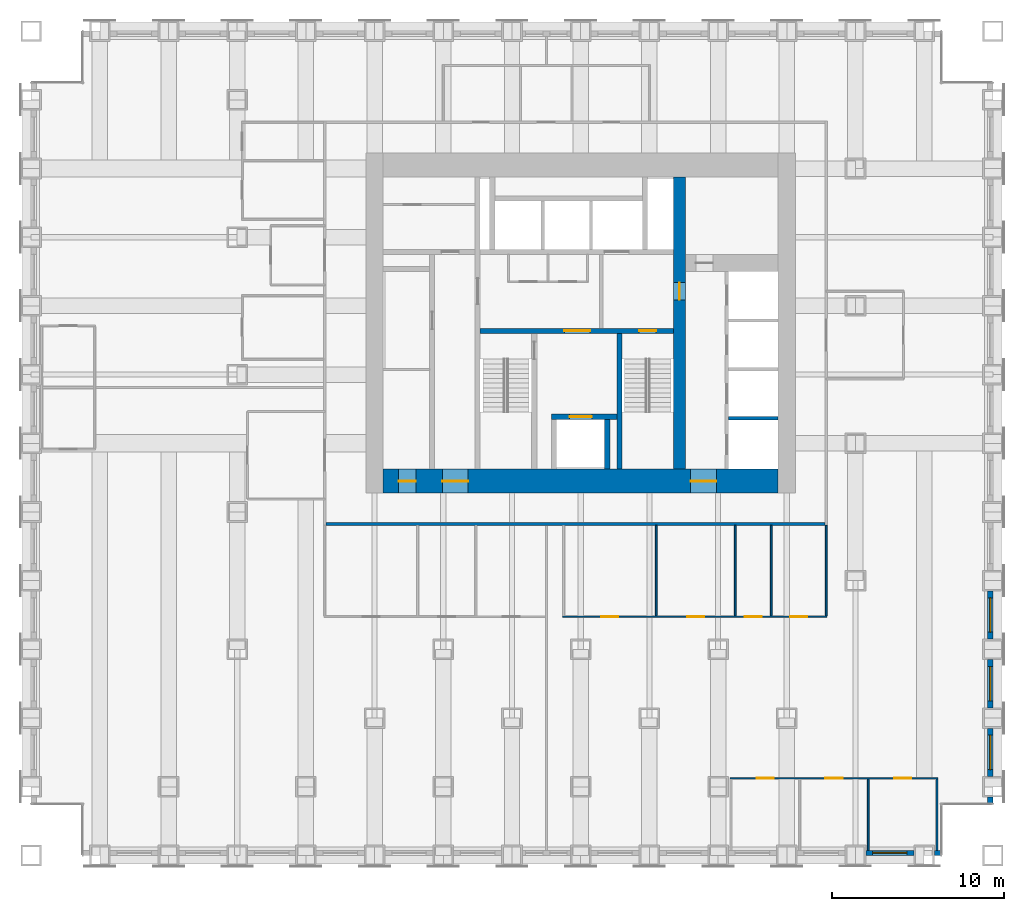
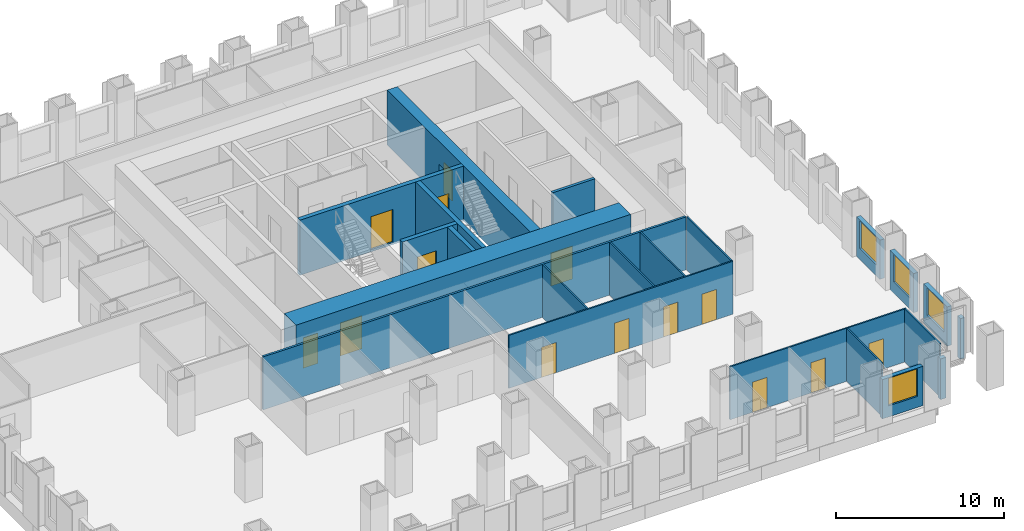
# One storey, part 10 of 15: 22 walls, 14 doors, 4 windows, 18 openings.
"""IFC4 building model written with IfcOpenShell, lengths in metres."""

from ifc_helpers import new_model, si_unit, direction, frame, frame_2d, origin, place, context, subcontext, project, spatial, rectangle, extrude, material, layer, layer_set, type_object, element, fill, save


model = new_model("IFC4")

# Units and contexts
model_context = context("Model", 3, precision=1e-05, world=origin(), true_north=direction((0.0, 1.0)))
body_context = subcontext(model_context, "Body", "Model", "MODEL_VIEW")
ifc_project = project(units=[si_unit("LENGTHUNIT", "METRE"), si_unit("AREAUNIT", "SQUARE_METRE"), si_unit("VOLUMEUNIT", "CUBIC_METRE"), si_unit("PLANEANGLEUNIT", "RADIAN"), si_unit("MASSUNIT", "GRAM", prefix="KILO")], contexts=[model_context])

# Site, building, storey
site_placement = place(None, origin())
site = spatial("IfcSite", under=ifc_project, at=site_placement, CompositionType="ELEMENT")
building_placement = place(site_placement, origin())
building = spatial("IfcBuilding", under=site, at=building_placement, Name="Rimbunsela Tower", CompositionType="ELEMENT")
storey_placement = place(building_placement, frame((0.0, 0.0, 31.0)))
storey = spatial("IfcBuildingStorey", under=building, at=storey_placement, Name="L07", CompositionType="ELEMENT", Elevation=31.0)

# Wall, openings, doors
ifc_material_1 = material(Name="Concrete fc' 80 MPa", Category="concrete")
ifc_layer_1 = layer(ifc_material_1, 0.300048828125)
ifc_layer_set_1 = layer_set([ifc_layer_1], Name="Core internal wall 300")
wall_type_1 = type_object("IfcWallType", Name="Core internal wall 300", PredefinedType="SHEAR", material=ifc_layer_set_1)
wall_1_placement = place(storey_placement, frame((24.14990234375, 26.550048828125, -0.14990234375), z_axis=(0.0, 0.0, 1.0), x_axis=(1.0, 0.0, 0.0)))
wall_1 = element("IfcWall", 1, at=wall_1_placement, inside=storey, type_object=wall_type_1, Name="Core wall lobby south", PredefinedType="SHEAR", context=body_context, shape_type="SweptSolid", body=[
    extrude(rectangle(XDim=11.25, YDim=0.300048828125, at=frame_2d((5.625, 0.0))), origin(), (0.0, 0.0, 1.0), 4.0),
])
opening_1_placement = place(wall_1_placement, frame((9.25, 0.0, 0.14990234375)))
opening_1 = element("IfcOpeningElement", 2, at=opening_1_placement, cuts=wall_1, Name="Opening D01", PredefinedType="OPENING", context=body_context, shape_type="SweptSolid", body=[
    extrude(rectangle(XDim=1.0, YDim=2.199951171875, at=frame_2d((0.5, 1.10009765625))), frame((0.0, 0.159912109375, 0.0), z_axis=(0.0, -1.0, 0.0), x_axis=(1.0, 0.0, 0.0)), (0.0, 0.0, 1.0), 0.320068359375),
])
opening_2_placement = place(wall_1_placement, frame((4.89990234375, 0.0, 0.14990234375)))
opening_2 = element("IfcOpeningElement", 3, at=opening_2_placement, cuts=wall_1, Name="Opening D03", PredefinedType="OPENING", context=body_context, shape_type="SweptSolid", body=[
    extrude(rectangle(XDim=1.5, YDim=2.39990234375, at=frame_2d((0.75, 1.199951171875))), frame((0.0, 0.159912109375, 0.0), z_axis=(0.0, -1.0, 0.0), x_axis=(1.0, 0.0, 0.0)), (0.0, 0.0, 1.0), 0.320068359375),
])
ifc_material_2 = material(Name="Steel door, fire rated", Category="steel")
door_type_1 = type_object("IfcDoorType", Name="Core lobby door 1500", OperationType="DOUBLE_DOOR_DOUBLE_SWING", PredefinedType="DOOR", material=ifc_material_2)
door_1_placement = place(opening_2_placement, origin())
door_1 = element("IfcDoor", 4, at=door_1_placement, inside=storey, type_object=door_type_1, Name="Firefighting lobby door", OperationType="DOUBLE_DOOR_DOUBLE_SWING", OverallHeight=2.39990234375, OverallWidth=1.5, PredefinedType="DOOR", context=body_context, shape_type="SweptSolid", body=[
    extrude(rectangle(XDim=1.5, YDim=2.39990234375, at=frame_2d((0.75, 1.199951171875))), frame((0.0, 0.02490234375, 0.0), z_axis=(0.0, -1.0, 0.0), x_axis=(1.0, 0.0, 0.0)), (0.0, 0.0, 1.0), 0.050048828125),
])
fill(opening_2, door_1)
ifc_material_3 = material(Name="Steel door, fire rated", Category="steel")
door_type_2 = type_object("IfcDoorType", Name="Stair door 1000", OperationType="SINGLE_SWING_RIGHT", PredefinedType="DOOR", material=ifc_material_3)
door_2_placement = place(opening_1_placement, frame((1.0, 0.0, 0.0), z_axis=(0.0, 0.0, 1.0), x_axis=(-1.0, 0.0, 0.0)))
door_2 = element("IfcDoor", 5, at=door_2_placement, inside=storey, type_object=door_type_2, Name="Stair B door", OperationType="SINGLE_SWING_RIGHT", OverallHeight=2.199951171875, OverallWidth=1.0, PredefinedType="DOOR", context=body_context, shape_type="SweptSolid", body=[
    extrude(rectangle(XDim=1.0, YDim=2.199951171875, at=frame_2d((0.5, 1.10009765625))), frame((0.0, 0.02490234375, 0.0), z_axis=(0.0, -1.0, 0.0), x_axis=(1.0, 0.0, 0.0)), (0.0, 0.0, 1.0), 0.050048828125),
])
fill(opening_1, door_2)

# Walls
wall_2_placement = place(storey_placement, frame((32.25, 18.5, -0.14990234375), z_axis=(0.0, 0.0, 1.0), x_axis=(0.0, 1.0, 0.0)))
element("IfcWall", 6, at=wall_2_placement, inside=storey, type_object=wall_type_1, Name="Stair B enclosure", PredefinedType="SHEAR", context=body_context, shape_type="SweptSolid", body=[
    extrude(rectangle(XDim=7.89990234375, YDim=0.300048828125, at=frame_2d((3.949951171875, 0.0))), origin(), (0.0, 0.0, 1.0), 4.0),
])
wall_3_placement = place(storey_placement, frame((31.550048828125, 18.5, -0.14990234375), z_axis=(0.0, 0.0, 1.0), x_axis=(0.0, 1.0, 0.0)))
element("IfcWall", 7, at=wall_3_placement, inside=storey, type_object=wall_type_1, Name="Firefighting lift shaft east", PredefinedType="SHEAR", context=body_context, shape_type="SweptSolid", body=[
    extrude(rectangle(XDim=2.89990234375, YDim=0.300048828125, at=frame_2d((1.449951171875, 0.0))), origin(), (0.0, 0.0, 1.0), 4.0),
])

# Wall, opening, door
wall_4_placement = place(storey_placement, frame((28.300048828125, 21.550048828125, -0.14990234375), z_axis=(0.0, 0.0, 1.0), x_axis=(1.0, 0.0, 0.0)))
wall_4 = element("IfcWall", 8, at=wall_4_placement, inside=storey, type_object=wall_type_1, Name="Firefighting lift shaft front", PredefinedType="SHEAR", context=body_context, shape_type="SweptSolid", body=[
    extrude(rectangle(XDim=3.800048828125, YDim=0.300048828125, at=frame_2d((1.89990234375, 0.0))), origin(), (0.0, 0.0, 1.0), 4.0),
])
opening_3_placement = place(wall_4_placement, frame((1.050048828125, 0.0, 0.14990234375)))
opening_3 = element("IfcOpeningElement", 9, at=opening_3_placement, cuts=wall_4, Name="Opening LD2", PredefinedType="OPENING", context=body_context, shape_type="SweptSolid", body=[
    extrude(rectangle(XDim=1.300048828125, YDim=2.39990234375, at=frame_2d((0.64990234375, 1.199951171875))), frame((0.0, 0.159912109375, 0.0), z_axis=(0.0, -1.0, 0.0), x_axis=(1.0, 0.0, 0.0)), (0.0, 0.0, 1.0), 0.320068359375),
])
ifc_material_4 = material(Name="Steel door, fire rated", Category="steel")
door_type_3 = type_object("IfcDoorType", Name="Lift landing door 1300", OperationType="DOUBLE_DOOR_SLIDING", PredefinedType="DOOR", material=ifc_material_4)
door_3_placement = place(opening_3_placement, origin())
door_3 = element("IfcDoor", 10, at=door_3_placement, inside=storey, type_object=door_type_3, Name="Lift landing door FL1", OperationType="DOUBLE_DOOR_SLIDING", OverallHeight=2.39990234375, OverallWidth=1.300048828125, PredefinedType="DOOR", context=body_context, shape_type="SweptSolid", body=[
    extrude(rectangle(XDim=1.300048828125, YDim=2.39990234375, at=frame_2d((0.64990234375, 1.199951171875))), frame((0.0, 0.02490234375, 0.0), z_axis=(0.0, -1.0, 0.0), x_axis=(1.0, 0.0, 0.0)), (0.0, 0.0, 1.0), 0.050048828125),
])
fill(opening_3, door_3)

# Wall, openings, doors
ifc_material_5 = material(Name="Concrete fc' 80 MPa", Category="concrete")
ifc_layer_2 = layer(ifc_material_5, 1.39990234375)
ifc_layer_set_2 = layer_set([ifc_layer_2], Name="Core wall 1400")
wall_type_2 = type_object("IfcWallType", Name="Core wall 1400", PredefinedType="SHEAR", material=ifc_layer_set_2)
wall_5_placement = place(storey_placement, frame((18.5, 17.800048828125, -0.14990234375), z_axis=(0.0, 0.0, 1.0), x_axis=(1.0, 0.0, 0.0)))
wall_5 = element("IfcWall", 11, at=wall_5_placement, inside=storey, type_object=wall_type_2, Name="Core wall south", PredefinedType="SHEAR", context=body_context, shape_type="SweptSolid", body=[
    extrude(rectangle(XDim=23.0, YDim=1.39990234375, at=frame_2d((11.5, 0.0))), origin(), (0.0, 0.0, 1.0), 4.0),
])
opening_4_placement = place(wall_5_placement, frame((3.449951171875, 0.0, 0.14990234375)))
opening_4 = element("IfcOpeningElement", 12, at=opening_4_placement, cuts=wall_5, Name="Opening D03", PredefinedType="OPENING", context=body_context, shape_type="SweptSolid", body=[
    extrude(rectangle(XDim=1.5, YDim=2.39990234375, at=frame_2d((0.75, 1.199951171875))), frame((0.0, 0.7099609375, 0.0), z_axis=(0.0, -1.0, 0.0), x_axis=(1.0, 0.0, 0.0)), (0.0, 0.0, 1.0), 1.419921875),
])
opening_5_placement = place(wall_5_placement, frame((17.89990234375, 0.0, 0.14990234375)))
opening_5 = element("IfcOpeningElement", 13, at=opening_5_placement, cuts=wall_5, Name="Opening D03", PredefinedType="OPENING", context=body_context, shape_type="SweptSolid", body=[
    extrude(rectangle(XDim=1.5, YDim=2.39990234375, at=frame_2d((0.75, 1.199951171875))), frame((0.0, 0.7099609375, 0.0), z_axis=(0.0, -1.0, 0.0), x_axis=(1.0, 0.0, 0.0)), (0.0, 0.0, 1.0), 1.419921875),
])
opening_6_placement = place(wall_5_placement, frame((0.89990234375, 0.0, 0.14990234375)))
opening_6 = element("IfcOpeningElement", 14, at=opening_6_placement, cuts=wall_5, Name="Opening D19", PredefinedType="OPENING", context=body_context, shape_type="SweptSolid", body=[
    extrude(rectangle(XDim=1.0, YDim=2.199951171875, at=frame_2d((0.5, 1.10009765625))), frame((0.0, 0.7099609375, 0.0), z_axis=(0.0, -1.0, 0.0), x_axis=(1.0, 0.0, 0.0)), (0.0, 0.0, 1.0), 1.419921875),
])
door_4_placement = place(opening_4_placement, origin())
door_4 = element("IfcDoor", 15, at=door_4_placement, inside=storey, type_object=door_type_1, Name="Core door south", OperationType="DOUBLE_DOOR_DOUBLE_SWING", OverallHeight=2.39990234375, OverallWidth=1.5, PredefinedType="DOOR", context=body_context, shape_type="SweptSolid", body=[
    extrude(rectangle(XDim=1.5, YDim=2.39990234375, at=frame_2d((0.75, 1.199951171875))), frame((0.0, 0.02490234375, 0.0), z_axis=(0.0, -1.0, 0.0), x_axis=(1.0, 0.0, 0.0)), (0.0, 0.0, 1.0), 0.050048828125),
])
fill(opening_4, door_4)
door_5_placement = place(opening_5_placement, origin())
door_5 = element("IfcDoor", 16, at=door_5_placement, inside=storey, type_object=door_type_1, Name="Core door south-east", OperationType="DOUBLE_DOOR_DOUBLE_SWING", OverallHeight=2.39990234375, OverallWidth=1.5, PredefinedType="DOOR", context=body_context, shape_type="SweptSolid", body=[
    extrude(rectangle(XDim=1.5, YDim=2.39990234375, at=frame_2d((0.75, 1.199951171875))), frame((0.0, 0.02490234375, 0.0), z_axis=(0.0, -1.0, 0.0), x_axis=(1.0, 0.0, 0.0)), (0.0, 0.0, 1.0), 0.050048828125),
])
fill(opening_5, door_5)
ifc_material_6 = material(Name="Steel door, fire rated", Category="steel")
door_type_4 = type_object("IfcDoorType", Name="Service door 1000 fire rated", OperationType="SINGLE_SWING_LEFT", PredefinedType="DOOR", material=ifc_material_6)
door_6_placement = place(opening_6_placement, origin())
door_6 = element("IfcDoor", 17, at=door_6_placement, inside=storey, type_object=door_type_4, Name="Electrical room door", OperationType="SINGLE_SWING_LEFT", OverallHeight=2.199951171875, OverallWidth=1.0, PredefinedType="DOOR", context=body_context, shape_type="SweptSolid", body=[
    extrude(rectangle(XDim=1.0, YDim=2.199951171875, at=frame_2d((0.5, 1.10009765625))), frame((0.0, 0.02490234375, 0.0), z_axis=(0.0, -1.0, 0.0), x_axis=(1.0, 0.0, 0.0)), (0.0, 0.0, 1.0), 0.050048828125),
])
fill(opening_6, door_6)

# Wall, opening, door
ifc_material_7 = material(Name="Concrete fc' 80 MPa", Category="concrete")
ifc_layer_3 = layer(ifc_material_7, 0.699951171875)
ifc_layer_set_3 = layer_set([ifc_layer_3], Name="Core wall 700 east")
wall_type_3 = type_object("IfcWallType", Name="Core wall 700 east", PredefinedType="SHEAR", material=ifc_layer_set_3)
wall_6_placement = place(storey_placement, frame((35.75, 18.5, -0.14990234375), z_axis=(0.0, 0.0, 1.0), x_axis=(0.0, 1.0, 0.0)))
wall_6 = element("IfcWall", 18, at=wall_6_placement, inside=storey, type_object=wall_type_3, Name="Core wall low-rise bank", PredefinedType="SHEAR", context=body_context, shape_type="SweptSolid", body=[
    extrude(rectangle(XDim=17.0, YDim=0.699951171875, at=frame_2d((8.5, 0.0))), origin(), (0.0, 0.0, 1.0), 4.0),
])
opening_7_placement = place(wall_6_placement, frame((9.85009765625, 0.0, 0.14990234375)))
opening_7 = element("IfcOpeningElement", 19, at=opening_7_placement, cuts=wall_6, Name="Opening D01", PredefinedType="OPENING", context=body_context, shape_type="SweptSolid", body=[
    extrude(rectangle(XDim=1.0, YDim=2.199951171875, at=frame_2d((0.5, 1.10009765625))), frame((0.0, 0.35986328125, 0.0), z_axis=(0.0, -1.0, 0.0), x_axis=(1.0, 0.0, 0.0)), (0.0, 0.0, 1.0), 0.719970703125),
])
door_7_placement = place(opening_7_placement, origin())
door_7 = element("IfcDoor", 20, at=door_7_placement, inside=storey, type_object=door_type_2, Name="Firefighting lobby 2 door", OperationType="SINGLE_SWING_RIGHT", OverallHeight=2.199951171875, OverallWidth=1.0, PredefinedType="DOOR", context=body_context, shape_type="SweptSolid", body=[
    extrude(rectangle(XDim=1.0, YDim=2.199951171875, at=frame_2d((0.5, 1.10009765625))), frame((0.0, 0.02490234375, 0.0), z_axis=(0.0, -1.0, 0.0), x_axis=(1.0, 0.0, 0.0)), (0.0, 0.0, 1.0), 0.050048828125),
])
fill(opening_7, door_7)

# Wall
ifc_material_8 = material(Name="Concrete blockwork", Category="masonry")
ifc_layer_4 = layer(ifc_material_8, 0.199951171875)
ifc_layer_set_4 = layer_set([ifc_layer_4], Name="Lift shaft wall 200")
wall_type_4 = type_object("IfcWallType", Name="Lift shaft wall 200", PredefinedType="SOLIDWALL", material=ifc_layer_set_4)
wall_7_placement = place(storey_placement, frame((38.60009765625, 21.449951171875, -0.14990234375), z_axis=(0.0, 0.0, 1.0), x_axis=(1.0, 0.0, 0.0)))
element("IfcWall", 21, at=wall_7_placement, inside=storey, type_object=wall_type_4, Name="Lift shaft separation", PredefinedType="SOLIDWALL", context=body_context, shape_type="SweptSolid", body=[
    extrude(rectangle(XDim=2.89990234375, YDim=0.199951171875, at=frame_2d((1.449951171875, 0.0))), origin(), (0.0, 0.0, 1.0), 4.0),
])

# Wall, openings, doors
ifc_material_9 = material(Name="Gypsum board on steel studs", Category="steel")
ifc_layer_5 = layer(ifc_material_9, 0.10009765625)
ifc_layer_set_5 = layer_set([ifc_layer_5], Name="Office partition 100")
wall_type_5 = type_object("IfcWallType", Name="Office partition 100", PredefinedType="PARTITIONING", material=ifc_layer_set_5)
wall_8_placement = place(storey_placement, frame((38.699951171875, 0.5, 0.0), z_axis=(0.0, 0.0, 1.0), x_axis=(1.0, 0.0, 0.0)))
wall_8 = element("IfcWall", 22, at=wall_8_placement, inside=storey, type_object=wall_type_5, Name="Office partition", PredefinedType="PARTITIONING", context=body_context, shape_type="SweptSolid", body=[
    extrude(rectangle(XDim=12.10009765625, YDim=0.10009765625, at=frame_2d((6.050048828125, 0.0))), origin(), (0.0, 0.0, 1.0), 3.85009765625),
])
opening_8_placement = place(wall_8_placement, frame((1.550048828125, 0.0, 0.0)))
opening_8 = element("IfcOpeningElement", 23, at=opening_8_placement, cuts=wall_8, Name="Opening D16", PredefinedType="OPENING", context=body_context, shape_type="SweptSolid", body=[
    extrude(rectangle(XDim=1.0, YDim=2.199951171875, at=frame_2d((0.5, 1.10009765625))), frame((0.0, 0.06005859375, 0.0), z_axis=(0.0, -1.0, 0.0), x_axis=(1.0, 0.0, 0.0)), (0.0, 0.0, 1.0), 0.1201171875),
])
opening_9_placement = place(wall_8_placement, frame((5.550048828125, 0.0, 0.0)))
opening_9 = element("IfcOpeningElement", 24, at=opening_9_placement, cuts=wall_8, Name="Opening D16", PredefinedType="OPENING", context=body_context, shape_type="SweptSolid", body=[
    extrude(rectangle(XDim=1.0, YDim=2.199951171875, at=frame_2d((0.5, 1.10009765625))), frame((0.0, 0.06005859375, 0.0), z_axis=(0.0, -1.0, 0.0), x_axis=(1.0, 0.0, 0.0)), (0.0, 0.0, 1.0), 0.1201171875),
])
opening_10_placement = place(wall_8_placement, frame((9.550048828125, 0.0, 0.0)))
opening_10 = element("IfcOpeningElement", 25, at=opening_10_placement, cuts=wall_8, Name="Opening D16", PredefinedType="OPENING", context=body_context, shape_type="SweptSolid", body=[
    extrude(rectangle(XDim=1.0, YDim=2.199951171875, at=frame_2d((0.5, 1.10009765625))), frame((0.0, 0.06005859375, 0.0), z_axis=(0.0, -1.0, 0.0), x_axis=(1.0, 0.0, 0.0)), (0.0, 0.0, 1.0), 0.1201171875),
])
ifc_material_10 = material(Name="Timber door", Category="wood")
door_type_5 = type_object("IfcDoorType", Name="Office door 1000", OperationType="SINGLE_SWING_LEFT", PredefinedType="DOOR", material=ifc_material_10)
door_8_placement = place(opening_8_placement, origin())
door_8 = element("IfcDoor", 26, at=door_8_placement, inside=storey, type_object=door_type_5, Name="Office door", OperationType="SINGLE_SWING_LEFT", OverallHeight=2.199951171875, OverallWidth=1.0, PredefinedType="DOOR", context=body_context, shape_type="SweptSolid", body=[
    extrude(rectangle(XDim=1.0, YDim=2.199951171875, at=frame_2d((0.5, 1.10009765625))), frame((0.0, 0.02490234375, 0.0), z_axis=(0.0, -1.0, 0.0), x_axis=(1.0, 0.0, 0.0)), (0.0, 0.0, 1.0), 0.050048828125),
])
fill(opening_8, door_8)
door_9_placement = place(opening_9_placement, origin())
door_9 = element("IfcDoor", 27, at=door_9_placement, inside=storey, type_object=door_type_5, Name="Office door", OperationType="SINGLE_SWING_LEFT", OverallHeight=2.199951171875, OverallWidth=1.0, PredefinedType="DOOR", context=body_context, shape_type="SweptSolid", body=[
    extrude(rectangle(XDim=1.0, YDim=2.199951171875, at=frame_2d((0.5, 1.10009765625))), frame((0.0, 0.02490234375, 0.0), z_axis=(0.0, -1.0, 0.0), x_axis=(1.0, 0.0, 0.0)), (0.0, 0.0, 1.0), 0.050048828125),
])
fill(opening_9, door_9)
door_10_placement = place(opening_10_placement, origin())
door_10 = element("IfcDoor", 28, at=door_10_placement, inside=storey, type_object=door_type_5, Name="Office door", OperationType="SINGLE_SWING_LEFT", OverallHeight=2.199951171875, OverallWidth=1.0, PredefinedType="DOOR", context=body_context, shape_type="SweptSolid", body=[
    extrude(rectangle(XDim=1.0, YDim=2.199951171875, at=frame_2d((0.5, 1.10009765625))), frame((0.0, 0.02490234375, 0.0), z_axis=(0.0, -1.0, 0.0), x_axis=(1.0, 0.0, 0.0)), (0.0, 0.0, 1.0), 0.050048828125),
])
fill(opening_10, door_10)

wall_9_placement = place(storey_placement, frame((28.948974609375, 9.89990234375, 0.0), z_axis=(0.0, 0.0, 1.0), x_axis=(1.0, 0.0, 0.0)))
wall_9 = element("IfcWall", 29, at=wall_9_placement, inside=storey, type_object=wall_type_5, Name="Office partition", PredefinedType="PARTITIONING", context=body_context, shape_type="SweptSolid", body=[
    extrude(rectangle(XDim=15.401123046875, YDim=0.10009765625, at=frame_2d((7.70068359375, 0.0))), origin(), (0.0, 0.0, 1.0), 3.85009765625),
])
opening_11_placement = place(wall_9_placement, frame((2.25, 0.0, 0.0)))
opening_11 = element("IfcOpeningElement", 30, at=opening_11_placement, cuts=wall_9, Name="Opening D17", PredefinedType="OPENING", context=body_context, shape_type="SweptSolid", body=[
    extrude(rectangle(XDim=1.0, YDim=2.199951171875, at=frame_2d((0.5, 1.10009765625))), frame((0.0, 0.06005859375, 0.0), z_axis=(0.0, -1.0, 0.0), x_axis=(1.0, 0.0, 0.0)), (0.0, 0.0, 1.0), 0.1201171875),
])
opening_12_placement = place(wall_9_placement, frame((7.25, 0.0, 0.0)))
opening_12 = element("IfcOpeningElement", 31, at=opening_12_placement, cuts=wall_9, Name="Opening D16", PredefinedType="OPENING", context=body_context, shape_type="SweptSolid", body=[
    extrude(rectangle(XDim=1.0, YDim=2.199951171875, at=frame_2d((0.5, 1.10009765625))), frame((0.0, 0.06005859375, 0.0), z_axis=(0.0, -1.0, 0.0), x_axis=(1.0, 0.0, 0.0)), (0.0, 0.0, 1.0), 0.1201171875),
])
opening_13_placement = place(wall_9_placement, frame((10.60009765625, 0.0, 0.0)))
opening_13 = element("IfcOpeningElement", 32, at=opening_13_placement, cuts=wall_9, Name="Opening D16", PredefinedType="OPENING", context=body_context, shape_type="SweptSolid", body=[
    extrude(rectangle(XDim=1.0, YDim=2.199951171875, at=frame_2d((0.5, 1.10009765625))), frame((0.0, 0.06005859375, 0.0), z_axis=(0.0, -1.0, 0.0), x_axis=(1.0, 0.0, 0.0)), (0.0, 0.0, 1.0), 0.1201171875),
])
opening_14_placement = place(wall_9_placement, frame((13.25048828125, 0.0, 0.0)))
opening_14 = element("IfcOpeningElement", 33, at=opening_14_placement, cuts=wall_9, Name="Opening D16", PredefinedType="OPENING", context=body_context, shape_type="SweptSolid", body=[
    extrude(rectangle(XDim=1.0, YDim=2.199951171875, at=frame_2d((0.5, 1.10009765625))), frame((0.0, 0.06005859375, 0.0), z_axis=(0.0, -1.0, 0.0), x_axis=(1.0, 0.0, 0.0)), (0.0, 0.0, 1.0), 0.1201171875),
])
ifc_material_11 = material(Name="Glazed aluminium door", Category="aluminium")
door_type_6 = type_object("IfcDoorType", Name="Meeting room door 1000 glazed", OperationType="SINGLE_SWING_RIGHT", PredefinedType="DOOR", material=ifc_material_11)
door_11_placement = place(opening_11_placement, origin())
door_11 = element("IfcDoor", 34, at=door_11_placement, inside=storey, type_object=door_type_6, Name="Meeting room door", OperationType="SINGLE_SWING_RIGHT", OverallHeight=2.199951171875, OverallWidth=1.0, PredefinedType="DOOR", context=body_context, shape_type="SweptSolid", body=[
    extrude(rectangle(XDim=1.0, YDim=2.199951171875, at=frame_2d((0.5, 1.10009765625))), frame((0.0, 0.02490234375, 0.0), z_axis=(0.0, -1.0, 0.0), x_axis=(1.0, 0.0, 0.0)), (0.0, 0.0, 1.0), 0.050048828125),
])
fill(opening_11, door_11)
door_12_placement = place(opening_12_placement, origin())
door_12 = element("IfcDoor", 35, at=door_12_placement, inside=storey, type_object=door_type_5, Name="Office door", OperationType="SINGLE_SWING_LEFT", OverallHeight=2.199951171875, OverallWidth=1.0, PredefinedType="DOOR", context=body_context, shape_type="SweptSolid", body=[
    extrude(rectangle(XDim=1.0, YDim=2.199951171875, at=frame_2d((0.5, 1.10009765625))), frame((0.0, 0.02490234375, 0.0), z_axis=(0.0, -1.0, 0.0), x_axis=(1.0, 0.0, 0.0)), (0.0, 0.0, 1.0), 0.050048828125),
])
fill(opening_12, door_12)
door_13_placement = place(opening_13_placement, origin())
door_13 = element("IfcDoor", 36, at=door_13_placement, inside=storey, type_object=door_type_5, Name="Office door", OperationType="SINGLE_SWING_LEFT", OverallHeight=2.199951171875, OverallWidth=1.0, PredefinedType="DOOR", context=body_context, shape_type="SweptSolid", body=[
    extrude(rectangle(XDim=1.0, YDim=2.199951171875, at=frame_2d((0.5, 1.10009765625))), frame((0.0, 0.02490234375, 0.0), z_axis=(0.0, -1.0, 0.0), x_axis=(1.0, 0.0, 0.0)), (0.0, 0.0, 1.0), 0.050048828125),
])
fill(opening_13, door_13)
door_14_placement = place(opening_14_placement, origin())
door_14 = element("IfcDoor", 37, at=door_14_placement, inside=storey, type_object=door_type_5, Name="Office door", OperationType="SINGLE_SWING_LEFT", OverallHeight=2.199951171875, OverallWidth=1.0, PredefinedType="DOOR", context=body_context, shape_type="SweptSolid", body=[
    extrude(rectangle(XDim=1.0, YDim=2.199951171875, at=frame_2d((0.5, 1.10009765625))), frame((0.0, 0.02490234375, 0.0), z_axis=(0.0, -1.0, 0.0), x_axis=(1.0, 0.0, 0.0)), (0.0, 0.0, 1.0), 0.050048828125),
])
fill(opening_14, door_14)

# Walls
for number, where, z_axis, x_axis, name in (
    (38, (34.39892578125, 9.949951171875, 0.0), (0.0, 0.0, 1.0), (0.0, 1.0, 0.0), "Office partition"),
    (39, (38.9990234375, 9.949951171875, 0.0), (0.0, 0.0, 1.0), (0.0, 1.0, 0.0), "Office partition"),
    (40, (41.09912109375, 9.949951171875, 0.0), (0.0, 0.0, 1.0), (0.0, 1.0, 0.0), "Office partition"),
    (41, (44.300048828125, 9.949951171875, 0.0), (0.0, 0.0, 1.0), (0.0, 1.0, 0.0), "Office partition"),
):
    element("IfcWall", number, at=place(storey_placement, frame(where, z_axis=z_axis, x_axis=x_axis)), inside=storey, type_object=wall_type_5, Name=name, PredefinedType="PARTITIONING", context=body_context, shape_type="SweptSolid", body=[
        extrude(rectangle(XDim=5.275146484375, YDim=0.10009765625, at=frame_2d((2.6376953125, 0.0))), origin(), (0.0, 0.0, 1.0), 3.85009765625),
    ])
for number, where, z_axis, x_axis, name in (
    (42, (46.75, -3.699951171875, 0.0), (0.0, 0.0, 1.0), (0.0, 1.0, 0.0), "Office partition"),
    (43, (50.75, -3.699951171875, 0.0), (0.0, 0.0, 1.0), (0.0, 1.0, 0.0), "Office partition"),
):
    element("IfcWall", number, at=place(storey_placement, frame(where, z_axis=z_axis, x_axis=x_axis)), inside=storey, type_object=wall_type_5, Name=name, PredefinedType="PARTITIONING", context=body_context, shape_type="SweptSolid", body=[
        extrude(rectangle(XDim=4.14990234375, YDim=0.10009765625, at=frame_2d((2.074951171875, 0.0))), origin(), (0.0, 0.0, 1.0), 3.85009765625),
    ])

# Wall, opening, window
ifc_material_12 = material(Name="Precast concrete fc' 35 MPa", Category="concrete")
ifc_layer_6 = layer(ifc_material_12, 0.300048828125)
ifc_layer_set_6 = layer_set([ifc_layer_6], Name="Precast concrete fc' 35 MPa")
wall_type_6 = type_object("IfcWallType", Name="Precast facade panel 300", PredefinedType="ELEMENTEDWALL", material=ifc_layer_set_6)
wall_10_placement = place(storey_placement, frame((46.60009765625, -3.85009765625, 0.0), z_axis=(0.0, 0.0, 1.0), x_axis=(1.0, 0.0, 0.0)))
wall_10 = element("IfcWall", 44, at=wall_10_placement, inside=storey, type_object=wall_type_6, Name="Facade panel S L07", PredefinedType="ELEMENTEDWALL", context=body_context, shape_type="SweptSolid", body=[
    extrude(rectangle(XDim=2.7998046875, YDim=0.300048828125, at=frame_2d((1.39990234375, 0.0))), origin(), (0.0, 0.0, 1.0), 2.85009765625),
])
opening_15_placement = place(wall_10_placement, frame((0.39990234375, 0.0, 0.800048828125)))
opening_15 = element("IfcOpeningElement", 45, at=opening_15_placement, cuts=wall_10, Name="Opening W1", PredefinedType="OPENING", context=body_context, shape_type="SweptSolid", body=[
    extrude(rectangle(XDim=2.0, YDim=2.0, at=frame_2d((1.0, 1.0))), frame((0.0, 0.159912109375, 0.0), z_axis=(0.0, -1.0, 0.0), x_axis=(1.0, 0.0, 0.0)), (0.0, 0.0, 1.0), 0.320068359375),
])
ifc_material_13 = material(Name="Clear glass in aluminium frame", Category="aluminium")
window_type = type_object("IfcWindowType", Name="Window W1 2000x2000", PartitioningType="DOUBLE_PANEL_VERTICAL", PredefinedType="WINDOW", material=ifc_material_13)
window_1_placement = place(opening_15_placement, origin())
window_1 = element("IfcWindow", 46, at=window_1_placement, inside=storey, type_object=window_type, Name="Window L07", OverallHeight=2.0, OverallWidth=2.0, PartitioningType="SINGLE_PANEL", PredefinedType="WINDOW", context=body_context, shape_type="SweptSolid", body=[
    extrude(rectangle(XDim=2.0, YDim=2.0, at=frame_2d((1.0, 1.0))), frame((0.0, 0.030029296875, 0.0), z_axis=(0.0, -1.0, 0.0), x_axis=(1.0, 0.0, 0.0)), (0.0, 0.0, 1.0), 0.06005859375),
])
fill(opening_15, window_1)

# Walls
for number, where, z_axis, x_axis, name in (
    (47, (50.60009765625, -3.85009765625, 0.0), (0.0, 0.0, 1.0), (1.0, 0.0, 0.0), "Facade panel S L07"),
    (48, (53.85009765625, -0.969970703125, 0.0), (0.0, 0.0, 1.0), (0.0, 1.0, 0.0), "Facade panel E L07"),
):
    element("IfcWall", number, at=place(storey_placement, frame(where, z_axis=z_axis, x_axis=x_axis)), inside=storey, type_object=wall_type_6, Name=name, PredefinedType="ELEMENTEDWALL", context=body_context, shape_type="SweptSolid", body=[
        extrude(rectangle(XDim=0.369873046875, YDim=0.300048828125, at=frame_2d((0.18505859375, 0.0))), origin(), (0.0, 0.0, 1.0), 2.949951171875),
    ])

# Wall, opening, window
wall_11_placement = place(storey_placement, frame((53.85009765625, 0.60009765625, 0.0), z_axis=(0.0, 0.0, 1.0), x_axis=(0.0, 1.0, 0.0)))
wall_11 = element("IfcWall", 49, at=wall_11_placement, inside=storey, type_object=wall_type_6, Name="Facade panel E L07", PredefinedType="ELEMENTEDWALL", context=body_context, shape_type="SweptSolid", body=[
    extrude(rectangle(XDim=2.7998046875, YDim=0.300048828125, at=frame_2d((1.39990234375, 0.0))), origin(), (0.0, 0.0, 1.0), 2.85009765625),
])
opening_16_placement = place(wall_11_placement, frame((0.39990234375, 0.0, 0.800048828125)))
opening_16 = element("IfcOpeningElement", 50, at=opening_16_placement, cuts=wall_11, Name="Opening W1", PredefinedType="OPENING", context=body_context, shape_type="SweptSolid", body=[
    extrude(rectangle(XDim=2.0, YDim=2.0, at=frame_2d((1.0, 1.0))), frame((0.0, 0.159912109375, 0.0), z_axis=(0.0, -1.0, 0.0), x_axis=(1.0, 0.0, 0.0)), (0.0, 0.0, 1.0), 0.320068359375),
])
window_2_placement = place(opening_16_placement, origin())
window_2 = element("IfcWindow", 51, at=window_2_placement, inside=storey, type_object=window_type, Name="Window L07", OverallHeight=2.0, OverallWidth=2.0, PartitioningType="SINGLE_PANEL", PredefinedType="WINDOW", context=body_context, shape_type="SweptSolid", body=[
    extrude(rectangle(XDim=2.0, YDim=2.0, at=frame_2d((1.0, 1.0))), frame((0.0, 0.030029296875, 0.0), z_axis=(0.0, -1.0, 0.0), x_axis=(1.0, 0.0, 0.0)), (0.0, 0.0, 1.0), 0.06005859375),
])
fill(opening_16, window_2)

wall_12_placement = place(storey_placement, frame((53.85009765625, 4.60009765625, 0.0), z_axis=(0.0, 0.0, 1.0), x_axis=(0.0, 1.0, 0.0)))
wall_12 = element("IfcWall", 52, at=wall_12_placement, inside=storey, type_object=wall_type_6, Name="Facade panel E L07", PredefinedType="ELEMENTEDWALL", context=body_context, shape_type="SweptSolid", body=[
    extrude(rectangle(XDim=2.7998046875, YDim=0.300048828125, at=frame_2d((1.39990234375, 0.0))), origin(), (0.0, 0.0, 1.0), 2.85009765625),
])
opening_17_placement = place(wall_12_placement, frame((0.39990234375, 0.0, 0.800048828125)))
opening_17 = element("IfcOpeningElement", 53, at=opening_17_placement, cuts=wall_12, Name="Opening W1", PredefinedType="OPENING", context=body_context, shape_type="SweptSolid", body=[
    extrude(rectangle(XDim=2.0, YDim=2.0, at=frame_2d((1.0, 1.0))), frame((0.0, 0.159912109375, 0.0), z_axis=(0.0, -1.0, 0.0), x_axis=(1.0, 0.0, 0.0)), (0.0, 0.0, 1.0), 0.320068359375),
])
window_3_placement = place(opening_17_placement, origin())
window_3 = element("IfcWindow", 54, at=window_3_placement, inside=storey, type_object=window_type, Name="Window L07", OverallHeight=2.0, OverallWidth=2.0, PartitioningType="SINGLE_PANEL", PredefinedType="WINDOW", context=body_context, shape_type="SweptSolid", body=[
    extrude(rectangle(XDim=2.0, YDim=2.0, at=frame_2d((1.0, 1.0))), frame((0.0, 0.030029296875, 0.0), z_axis=(0.0, -1.0, 0.0), x_axis=(1.0, 0.0, 0.0)), (0.0, 0.0, 1.0), 0.06005859375),
])
fill(opening_17, window_3)

wall_13_placement = place(storey_placement, frame((53.85009765625, 8.60009765625, 0.0), z_axis=(0.0, 0.0, 1.0), x_axis=(0.0, 1.0, 0.0)))
wall_13 = element("IfcWall", 55, at=wall_13_placement, inside=storey, type_object=wall_type_6, Name="Facade panel E L07", PredefinedType="ELEMENTEDWALL", context=body_context, shape_type="SweptSolid", body=[
    extrude(rectangle(XDim=2.7998046875, YDim=0.300048828125, at=frame_2d((1.39990234375, 0.0))), origin(), (0.0, 0.0, 1.0), 2.85009765625),
])
opening_18_placement = place(wall_13_placement, frame((0.39990234375, 0.0, 0.800048828125)))
opening_18 = element("IfcOpeningElement", 56, at=opening_18_placement, cuts=wall_13, Name="Opening W1", PredefinedType="OPENING", context=body_context, shape_type="SweptSolid", body=[
    extrude(rectangle(XDim=2.0, YDim=2.0, at=frame_2d((1.0, 1.0))), frame((0.0, 0.159912109375, 0.0), z_axis=(0.0, -1.0, 0.0), x_axis=(1.0, 0.0, 0.0)), (0.0, 0.0, 1.0), 0.320068359375),
])
window_4_placement = place(opening_18_placement, origin())
window_4 = element("IfcWindow", 57, at=window_4_placement, inside=storey, type_object=window_type, Name="Window L07", OverallHeight=2.0, OverallWidth=2.0, PartitioningType="SINGLE_PANEL", PredefinedType="WINDOW", context=body_context, shape_type="SweptSolid", body=[
    extrude(rectangle(XDim=2.0, YDim=2.0, at=frame_2d((1.0, 1.0))), frame((0.0, 0.030029296875, 0.0), z_axis=(0.0, -1.0, 0.0), x_axis=(1.0, 0.0, 0.0)), (0.0, 0.0, 1.0), 0.06005859375),
])
fill(opening_18, window_4)

# Wall
ifc_material_14 = material(Name="Fire-rated gypsum board on steel studs, EI 60", Category="steel")
ifc_layer_7 = layer(ifc_material_14, 0.14990234375)
ifc_layer_set_7 = layer_set([ifc_layer_7], Name="Rated corridor wall 150")
wall_type_7 = type_object("IfcWallType", Name="Rated corridor wall 150", PredefinedType="PARTITIONING", material=ifc_layer_set_7)
wall_14_placement = place(storey_placement, frame((15.175048828125, 15.300048828125, 0.0), z_axis=(0.0, 0.0, 1.0), x_axis=(1.0, 0.0, 0.0)))
element("IfcWall", 58, at=wall_14_placement, inside=storey, type_object=wall_type_7, Name="Corridor wall south", PredefinedType="PARTITIONING", context=body_context, shape_type="SweptSolid", body=[
    extrude(rectangle(XDim=29.050048828125, YDim=0.14990234375, at=frame_2d((14.52490234375, 0.0))), origin(), (0.0, 0.0, 1.0), 3.85009765625),
])

save(model, "model.ifc")
